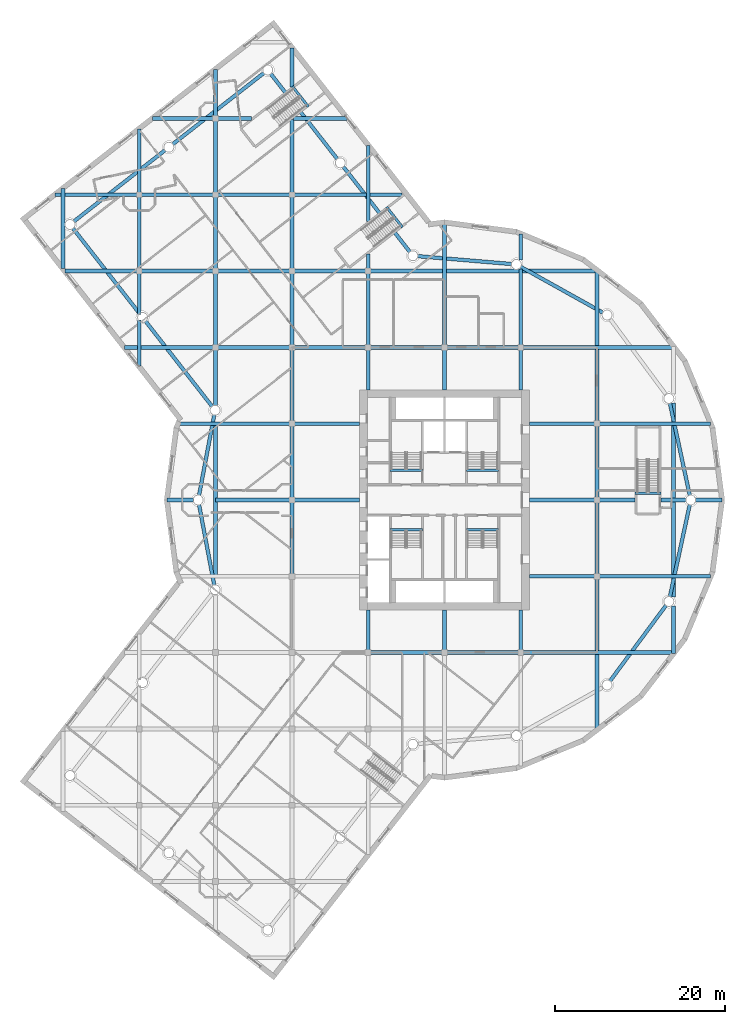
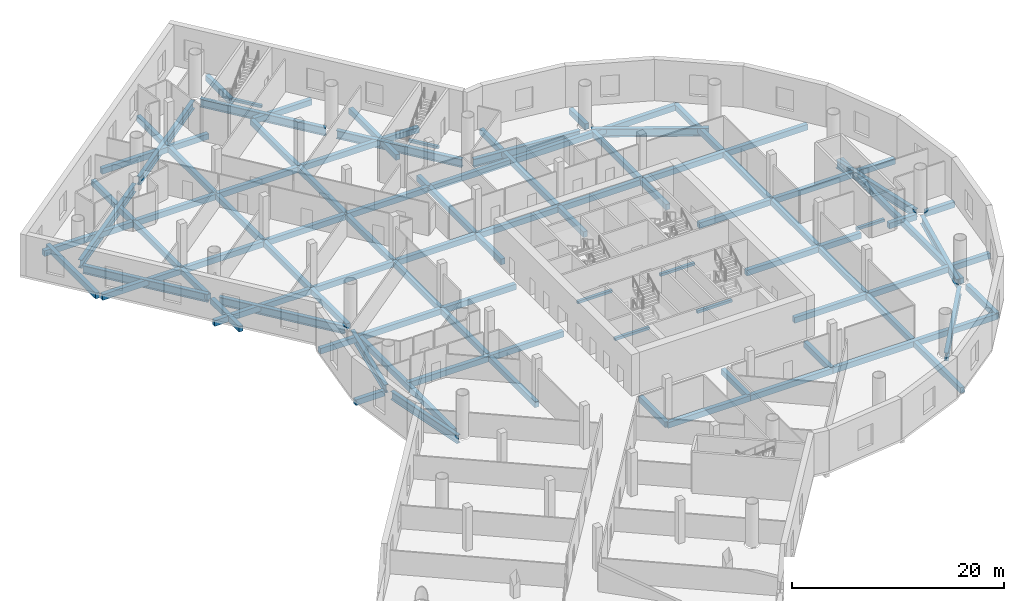
# One storey, part 2 of 22: 90 beams.
"""IFC4 building model written with IfcOpenShell, lengths in metres."""

from ifc_helpers import new_model, si_unit, direction, frame, origin, origin_2d, place, context, subcontext, project, spatial, rectangle, i_section, extrude, material, material_profile, profile_set, type_object, element, save


model = new_model("IFC4")

# Units and contexts
model_context = context("Model", 3, precision=1e-05, world=origin(), true_north=direction((0.0, 1.0)))
body_context = subcontext(model_context, "Body", "Model", "MODEL_VIEW")
ifc_project = project(units=[si_unit("LENGTHUNIT", "METRE"), si_unit("AREAUNIT", "SQUARE_METRE"), si_unit("VOLUMEUNIT", "CUBIC_METRE"), si_unit("PLANEANGLEUNIT", "RADIAN"), si_unit("MASSUNIT", "GRAM", prefix="KILO")], contexts=[model_context])

# Site, building, storey
site_placement = place(None, origin())
site = spatial("IfcSite", under=ifc_project, at=site_placement, CompositionType="ELEMENT")
building_placement = place(site_placement, origin())
building = spatial("IfcBuilding", under=site, at=building_placement, Name="Tarsis Ring Headquarters", CompositionType="ELEMENT")
storey_placement = place(building_placement, frame((0.0, 0.0, 25.0)))
storey = spatial("IfcBuildingStorey", under=building, at=storey_placement, Name="L04", CompositionType="ELEMENT", Elevation=25.0)

# Beams
ifc_material_1 = material(Name="Concrete C40/50", Category="concrete")
ifc_material_profile_1 = material_profile(ifc_material_1, rectangle(XDim=0.449951171875, YDim=0.64990234375, at=origin_2d()), Name="PO-B450")
ifc_profile_set_1 = profile_set([ifc_material_profile_1], Name="Concrete C40/50")
beam_type_1 = type_object("IfcBeamType", Name="PO-B450", PredefinedType="BEAM", material=ifc_profile_set_1)
beam_1_placement = place(storey_placement, frame((-45.0, 27.3046875, -0.574951171875), z_axis=(0.0, 1.0, 0.0), x_axis=(-1.0, 0.0, 0.0)))
element("IfcBeam", 1, at=beam_1_placement, inside=storey, type_object=beam_type_1, Name="L04 floor beam 2", PredefinedType="BEAM", context=body_context, shape_type="SweptSolid", body=[
    extrude(rectangle(XDim=0.449951171875, YDim=0.64990234375, at=origin_2d()), origin(), (0.0, 0.0, 1.0), 9.42724609375),
])
beam_2_placement = place(storey_placement, frame((-36.0, 15.78515625, -0.574951171875), z_axis=(0.0, 1.0, 0.0), x_axis=(-1.0, 0.0, 0.0)))
element("IfcBeam", 2, at=beam_2_placement, inside=storey, type_object=beam_type_1, Name="L04 floor beam 7", PredefinedType="BEAM", context=body_context, shape_type="SweptSolid", body=[
    extrude(rectangle(XDim=0.449951171875, YDim=0.64990234375, at=origin_2d()), origin(), (0.0, 0.0, 1.0), 5.44140625),
])
beam_3_placement = place(storey_placement, frame((-36.0, 21.853515625, -0.574951171875), z_axis=(0.0, 1.0, 0.0), x_axis=(-1.0, 0.0, 0.0)))
element("IfcBeam", 3, at=beam_3_placement, inside=storey, type_object=beam_type_1, Name="L04 floor beam 8", PredefinedType="BEAM", context=body_context, shape_type="SweptSolid", body=[
    extrude(rectangle(XDim=0.449951171875, YDim=0.64990234375, at=origin_2d()), origin(), (0.0, 0.0, 1.0), 5.146484375),
])
beam_4_placement = place(storey_placement, frame((-36.0, 27.0, -0.574951171875), z_axis=(0.0, 1.0, 0.0), x_axis=(-1.0, 0.0, 0.0)))
element("IfcBeam", 4, at=beam_4_placement, inside=storey, type_object=beam_type_1, Name="L04 floor beam 9", PredefinedType="BEAM", context=body_context, shape_type="SweptSolid", body=[
    extrude(rectangle(XDim=0.449951171875, YDim=0.64990234375, at=origin_2d()), origin(), (0.0, 0.0, 1.0), 9.0),
])
beam_5_placement = place(storey_placement, frame((-36.0, 36.0, -0.574951171875), z_axis=(0.0, 1.0, 0.0), x_axis=(-1.0, 0.0, 0.0)))
element("IfcBeam", 5, at=beam_5_placement, inside=storey, type_object=beam_type_1, Name="L04 floor beam 10", PredefinedType="BEAM", context=body_context, shape_type="SweptSolid", body=[
    extrude(rectangle(XDim=0.449951171875, YDim=0.64990234375, at=origin_2d()), origin(), (0.0, 0.0, 1.0), 7.763671875),
])
beam_6_placement = place(storey_placement, frame((-27.0, -9.0, -0.574951171875), z_axis=(0.0, 1.0, 0.0), x_axis=(-1.0, 0.0, 0.0)))
element("IfcBeam", 6, at=beam_6_placement, inside=storey, type_object=beam_type_1, Name="L04 floor beam 16", PredefinedType="BEAM", context=body_context, shape_type="SweptSolid", body=[
    extrude(rectangle(XDim=0.449951171875, YDim=0.64990234375, at=origin_2d()), origin(), (0.0, 0.0, 1.0), 18.0),
])
beam_7_placement = place(storey_placement, frame((-27.0, 11.082275390625, -0.574951171875), z_axis=(0.0, 1.0, 0.0), x_axis=(-1.0, 0.0, 0.0)))
element("IfcBeam", 7, at=beam_7_placement, inside=storey, type_object=beam_type_1, Name="L04 floor beam 17", PredefinedType="BEAM", context=body_context, shape_type="SweptSolid", body=[
    extrude(rectangle(XDim=0.449951171875, YDim=0.64990234375, at=origin_2d()), origin(), (0.0, 0.0, 1.0), 6.917724609375),
])
for number, where, z_axis, x_axis, name in (
    (8, (-27.0, 18.0, -0.574951171875), (0.0, 1.0, 0.0), (-1.0, 0.0, 0.0), "L04 floor beam 18"),
    (9, (-27.0, 27.0, -0.574951171875), (0.0, 1.0, 0.0), (-1.0, 0.0, 0.0), "L04 floor beam 19"),
    (10, (-27.0, 36.0, -0.574951171875), (0.0, 1.0, 0.0), (-1.0, 0.0, 0.0), "L04 floor beam 20"),
):
    element("IfcBeam", number, at=place(storey_placement, frame(where, z_axis=z_axis, x_axis=x_axis)), inside=storey, type_object=beam_type_1, Name=name, PredefinedType="BEAM", context=body_context, shape_type="SweptSolid", body=[
        extrude(rectangle(XDim=0.449951171875, YDim=0.64990234375, at=origin_2d()), origin(), (0.0, 0.0, 1.0), 9.0),
    ])
beam_8_placement = place(storey_placement, frame((-27.0, 45.0, -0.574951171875), z_axis=(0.0, 1.0, 0.0), x_axis=(-1.0, 0.0, 0.0)))
element("IfcBeam", 11, at=beam_8_placement, inside=storey, type_object=beam_type_1, Name="L04 floor beam 21", PredefinedType="BEAM", context=body_context, shape_type="SweptSolid", body=[
    extrude(rectangle(XDim=0.449951171875, YDim=0.64990234375, at=origin_2d()), origin(), (0.0, 0.0, 1.0), 5.795166015625),
])
for number, where, z_axis, x_axis, name in (
    (12, (-18.0, -9.0, -0.574951171875), (0.0, 1.0, 0.0), (-1.0, 0.0, 0.0), "L04 floor beam 27"),
    (13, (-18.0, 0.0, -0.574951171875), (0.0, 1.0, 0.0), (-1.0, 0.0, 0.0), "L04 floor beam 28"),
    (14, (-18.0, 9.0, -0.574951171875), (0.0, 1.0, 0.0), (-1.0, 0.0, 0.0), "L04 floor beam 29"),
    (15, (-18.0, 18.0, -0.574951171875), (0.0, 1.0, 0.0), (-1.0, 0.0, 0.0), "L04 floor beam 30"),
    (16, (-18.0, 27.0, -0.574951171875), (0.0, 1.0, 0.0), (-1.0, 0.0, 0.0), "L04 floor beam 31"),
):
    element("IfcBeam", number, at=place(storey_placement, frame(where, z_axis=z_axis, x_axis=x_axis)), inside=storey, type_object=beam_type_1, Name=name, PredefinedType="BEAM", context=body_context, shape_type="SweptSolid", body=[
        extrude(rectangle(XDim=0.449951171875, YDim=0.64990234375, at=origin_2d()), origin(), (0.0, 0.0, 1.0), 9.0),
    ])
beam_9_placement = place(storey_placement, frame((-18.0, 36.0, -0.574951171875), z_axis=(0.0, 1.0, 0.0), x_axis=(-1.0, 0.0, 0.0)))
element("IfcBeam", 17, at=beam_9_placement, inside=storey, type_object=beam_type_1, Name="L04 floor beam 32", PredefinedType="BEAM", context=body_context, shape_type="SweptSolid", body=[
    extrude(rectangle(XDim=0.449951171875, YDim=0.64990234375, at=origin_2d()), origin(), (0.0, 0.0, 1.0), 8.8623046875),
])
beam_10_placement = place(storey_placement, frame((-18.0, 48.7314453125, -0.574951171875), z_axis=(0.0, 1.0, 0.0), x_axis=(-1.0, 0.0, 0.0)))
element("IfcBeam", 18, at=beam_10_placement, inside=storey, type_object=beam_type_1, Name="L04 floor beam 33", PredefinedType="BEAM", context=body_context, shape_type="SweptSolid", body=[
    extrude(rectangle(XDim=0.449951171875, YDim=0.64990234375, at=origin_2d()), origin(), (0.0, 0.0, 1.0), 4.60009765625),
])
for number, where, z_axis, x_axis, name in (
    (19, (-9.0, -18.0, -0.574951171875), (0.0, 1.0, 0.0), (-1.0, 0.0, 0.0), "L04 floor beam 37"),
    (20, (-9.0, 13.0, -0.574951171875), (0.0, 1.0, 0.0), (-1.0, 0.0, 0.0), "L04 floor beam 38"),
):
    element("IfcBeam", number, at=place(storey_placement, frame(where, z_axis=z_axis, x_axis=x_axis)), inside=storey, type_object=beam_type_1, Name=name, PredefinedType="BEAM", context=body_context, shape_type="SweptSolid", body=[
        extrude(rectangle(XDim=0.449951171875, YDim=0.64990234375, at=origin_2d()), origin(), (0.0, 0.0, 1.0), 5.0),
    ])
beam_11_placement = place(storey_placement, frame((-9.0, 18.0, -0.574951171875), z_axis=(0.0, 1.0, 0.0), x_axis=(-1.0, 0.0, 0.0)))
element("IfcBeam", 21, at=beam_11_placement, inside=storey, type_object=beam_type_1, Name="L04 floor beam 39", PredefinedType="BEAM", context=body_context, shape_type="SweptSolid", body=[
    extrude(rectangle(XDim=0.449951171875, YDim=0.64990234375, at=origin_2d()), origin(), (0.0, 0.0, 1.0), 9.0),
])
beam_12_placement = place(storey_placement, frame((-9.0, 27.0, -0.574951171875), z_axis=(0.0, 1.0, 0.0), x_axis=(-1.0, 0.0, 0.0)))
element("IfcBeam", 22, at=beam_12_placement, inside=storey, type_object=beam_type_1, Name="L04 floor beam 40", PredefinedType="BEAM", context=body_context, shape_type="SweptSolid", body=[
    extrude(rectangle(XDim=0.449951171875, YDim=0.64990234375, at=origin_2d()), origin(), (0.0, 0.0, 1.0), 2.003173828125),
])
beam_13_placement = place(storey_placement, frame((-9.0, 32.872314453125, -0.574951171875), z_axis=(0.0, 1.0, 0.0), x_axis=(-1.0, 0.0, 0.0)))
element("IfcBeam", 23, at=beam_13_placement, inside=storey, type_object=beam_type_1, Name="L04 floor beam 41", PredefinedType="BEAM", context=body_context, shape_type="SweptSolid", body=[
    extrude(rectangle(XDim=0.449951171875, YDim=0.64990234375, at=origin_2d()), origin(), (0.0, 0.0, 1.0), 8.939697265625),
])
for number, where, z_axis, x_axis, name in (
    (24, (0.0, -18.0, -0.574951171875), (0.0, 1.0, 0.0), (-1.0, 0.0, 0.0), "L04 floor beam 43"),
    (25, (0.0, 13.0, -0.574951171875), (0.0, 1.0, 0.0), (-1.0, 0.0, 0.0), "L04 floor beam 44"),
):
    element("IfcBeam", number, at=place(storey_placement, frame(where, z_axis=z_axis, x_axis=x_axis)), inside=storey, type_object=beam_type_1, Name=name, PredefinedType="BEAM", context=body_context, shape_type="SweptSolid", body=[
        extrude(rectangle(XDim=0.449951171875, YDim=0.64990234375, at=origin_2d()), origin(), (0.0, 0.0, 1.0), 5.0),
    ])
beam_14_placement = place(storey_placement, frame((0.0, 18.0, -0.574951171875), z_axis=(0.0, 1.0, 0.0), x_axis=(-1.0, 0.0, 0.0)))
element("IfcBeam", 26, at=beam_14_placement, inside=storey, type_object=beam_type_1, Name="L04 floor beam 45", PredefinedType="BEAM", context=body_context, shape_type="SweptSolid", body=[
    extrude(rectangle(XDim=0.449951171875, YDim=0.64990234375, at=origin_2d()), origin(), (0.0, 0.0, 1.0), 14.70458984375),
])
for number, where, z_axis, x_axis, name in (
    (27, (9.0, -18.0, -0.574951171875), (0.0, 1.0, 0.0), (-1.0, 0.0, 0.0), "L04 floor beam 48"),
    (28, (9.0, 13.0, -0.574951171875), (0.0, 1.0, 0.0), (-1.0, 0.0, 0.0), "L04 floor beam 49"),
):
    element("IfcBeam", number, at=place(storey_placement, frame(where, z_axis=z_axis, x_axis=x_axis)), inside=storey, type_object=beam_type_1, Name=name, PredefinedType="BEAM", context=body_context, shape_type="SweptSolid", body=[
        extrude(rectangle(XDim=0.449951171875, YDim=0.64990234375, at=origin_2d()), origin(), (0.0, 0.0, 1.0), 5.0),
    ])
beam_15_placement = place(storey_placement, frame((9.0, 18.0, -0.574951171875), z_axis=(0.0, 1.0, 0.0), x_axis=(-1.0, 0.0, 0.0)))
element("IfcBeam", 29, at=beam_15_placement, inside=storey, type_object=beam_type_1, Name="L04 floor beam 50", PredefinedType="BEAM", context=body_context, shape_type="SweptSolid", body=[
    extrude(rectangle(XDim=0.449951171875, YDim=0.64990234375, at=origin_2d()), origin(), (0.0, 0.0, 1.0), 9.245361328125),
])
beam_16_placement = place(storey_placement, frame((9.0, 28.3212890625, -0.574951171875), z_axis=(0.0, 1.0, 0.0), x_axis=(-1.0, 0.0, 0.0)))
element("IfcBeam", 30, at=beam_16_placement, inside=storey, type_object=beam_type_1, Name="L04 floor beam 51", PredefinedType="BEAM", context=body_context, shape_type="SweptSolid", body=[
    extrude(rectangle(XDim=0.449951171875, YDim=0.64990234375, at=origin_2d()), origin(), (0.0, 0.0, 1.0), 3.050048828125),
])
beam_17_placement = place(storey_placement, frame((18.0, -27.062255859375, -0.574951171875), z_axis=(0.0, 1.0, 0.0), x_axis=(-1.0, 0.0, 0.0)))
element("IfcBeam", 31, at=beam_17_placement, inside=storey, type_object=beam_type_1, Name="L04 floor beam 52", PredefinedType="BEAM", context=body_context, shape_type="SweptSolid", body=[
    extrude(rectangle(XDim=0.449951171875, YDim=0.64990234375, at=origin_2d()), origin(), (0.0, 0.0, 1.0), 18.062255859375),
])
for number, where, z_axis, x_axis, name in (
    (32, (18.0, -9.0, -0.574951171875), (0.0, 1.0, 0.0), (-1.0, 0.0, 0.0), "L04 floor beam 53"),
    (33, (18.0, 0.0, -0.574951171875), (0.0, 1.0, 0.0), (-1.0, 0.0, 0.0), "L04 floor beam 54"),
):
    element("IfcBeam", number, at=place(storey_placement, frame(where, z_axis=z_axis, x_axis=x_axis)), inside=storey, type_object=beam_type_1, Name=name, PredefinedType="BEAM", context=body_context, shape_type="SweptSolid", body=[
        extrude(rectangle(XDim=0.449951171875, YDim=0.64990234375, at=origin_2d()), origin(), (0.0, 0.0, 1.0), 9.0),
    ])
beam_18_placement = place(storey_placement, frame((18.0, 9.0, -0.574951171875), z_axis=(0.0, 1.0, 0.0), x_axis=(-1.0, 0.0, 0.0)))
element("IfcBeam", 34, at=beam_18_placement, inside=storey, type_object=beam_type_1, Name="L04 floor beam 55", PredefinedType="BEAM", context=body_context, shape_type="SweptSolid", body=[
    extrude(rectangle(XDim=0.449951171875, YDim=0.64990234375, at=origin_2d()), origin(), (0.0, 0.0, 1.0), 18.062255859375),
])
beam_19_placement = place(storey_placement, frame((27.0, -18.0810546875, -0.574951171875), z_axis=(0.0, 1.0, 0.0), x_axis=(-1.0, 0.0, 0.0)))
element("IfcBeam", 35, at=beam_19_placement, inside=storey, type_object=beam_type_1, Name="L04 floor beam 56", PredefinedType="BEAM", context=body_context, shape_type="SweptSolid", body=[
    extrude(rectangle(XDim=0.449951171875, YDim=0.64990234375, at=origin_2d()), origin(), (0.0, 0.0, 1.0), 5.58203125),
])
beam_20_placement = place(storey_placement, frame((27.0, -11.447998046875, -0.574951171875), z_axis=(0.0, 1.0, 0.0), x_axis=(-1.0, 0.0, 0.0)))
element("IfcBeam", 36, at=beam_20_placement, inside=storey, type_object=beam_type_1, Name="L04 floor beam 57", PredefinedType="BEAM", context=body_context, shape_type="SweptSolid", body=[
    extrude(rectangle(XDim=0.449951171875, YDim=0.64990234375, at=origin_2d()), origin(), (0.0, 0.0, 1.0), 22.89599609375),
])
for number, where, z_axis, x_axis, name in (
    (37, (-9.0, -18.0, -0.574951171875), (1.0, 0.0, 0.0), (0.0, 1.0, 0.0), "L04 floor beam 75"),
    (38, (0.0, -18.0, -0.574951171875), (1.0, 0.0, 0.0), (0.0, 1.0, 0.0), "L04 floor beam 76"),
):
    element("IfcBeam", number, at=place(storey_placement, frame(where, z_axis=z_axis, x_axis=x_axis)), inside=storey, type_object=beam_type_1, Name=name, PredefinedType="BEAM", context=body_context, shape_type="SweptSolid", body=[
        extrude(rectangle(XDim=0.449951171875, YDim=0.64990234375, at=origin_2d()), origin(), (0.0, 0.0, 1.0), 9.0),
    ])
beam_21_placement = place(storey_placement, frame((9.0, -18.0, -0.574951171875), z_axis=(1.0, 0.0, 0.0), x_axis=(0.0, 1.0, 0.0)))
element("IfcBeam", 39, at=beam_21_placement, inside=storey, type_object=beam_type_1, Name="L04 floor beam 77", PredefinedType="BEAM", context=body_context, shape_type="SweptSolid", body=[
    extrude(rectangle(XDim=0.449951171875, YDim=0.64990234375, at=origin_2d()), origin(), (0.0, 0.0, 1.0), 18.062255859375),
])
beam_22_placement = place(storey_placement, frame((10.0, -9.0, -0.574951171875), z_axis=(1.0, 0.0, 0.0), x_axis=(0.0, 1.0, 0.0)))
element("IfcBeam", 40, at=beam_22_placement, inside=storey, type_object=beam_type_1, Name="L04 floor beam 80", PredefinedType="BEAM", context=body_context, shape_type="SweptSolid", body=[
    extrude(rectangle(XDim=0.449951171875, YDim=0.64990234375, at=origin_2d()), origin(), (0.0, 0.0, 1.0), 8.0),
])
beam_23_placement = place(storey_placement, frame((18.0, -9.0, -0.574951171875), z_axis=(1.0, 0.0, 0.0), x_axis=(0.0, 1.0, 0.0)))
element("IfcBeam", 41, at=beam_23_placement, inside=storey, type_object=beam_type_1, Name="L04 floor beam 81", PredefinedType="BEAM", context=body_context, shape_type="SweptSolid", body=[
    extrude(rectangle(XDim=0.449951171875, YDim=0.64990234375, at=origin_2d()), origin(), (0.0, 0.0, 1.0), 13.371337890625),
])
beam_24_placement = place(storey_placement, frame((-32.70458984375, 0.0, -0.574951171875), z_axis=(1.0, 0.0, 0.0), x_axis=(0.0, 1.0, 0.0)))
element("IfcBeam", 42, at=beam_24_placement, inside=storey, type_object=beam_type_1, Name="L04 floor beam 82", PredefinedType="BEAM", context=body_context, shape_type="SweptSolid", body=[
    extrude(rectangle(XDim=0.449951171875, YDim=0.64990234375, at=origin_2d()), origin(), (0.0, 0.0, 1.0), 3.156005859375),
])
beam_25_placement = place(storey_placement, frame((-27.0, 0.0, -0.574951171875), z_axis=(1.0, 0.0, 0.0), x_axis=(0.0, 1.0, 0.0)))
element("IfcBeam", 43, at=beam_25_placement, inside=storey, type_object=beam_type_1, Name="L04 floor beam 83", PredefinedType="BEAM", context=body_context, shape_type="SweptSolid", body=[
    extrude(rectangle(XDim=0.449951171875, YDim=0.64990234375, at=origin_2d()), origin(), (0.0, 0.0, 1.0), 9.0),
])
for number, where, z_axis, x_axis, name in (
    (44, (-18.0, 0.0, -0.574951171875), (1.0, 0.0, 0.0), (0.0, 1.0, 0.0), "L04 floor beam 84"),
    (45, (10.0, 0.0, -0.574951171875), (1.0, 0.0, 0.0), (0.0, 1.0, 0.0), "L04 floor beam 85"),
):
    element("IfcBeam", number, at=place(storey_placement, frame(where, z_axis=z_axis, x_axis=x_axis)), inside=storey, type_object=beam_type_1, Name=name, PredefinedType="BEAM", context=body_context, shape_type="SweptSolid", body=[
        extrude(rectangle(XDim=0.449951171875, YDim=0.64990234375, at=origin_2d()), origin(), (0.0, 0.0, 1.0), 8.0),
    ])
beam_26_placement = place(storey_placement, frame((18.0, 0.0, -0.574951171875), z_axis=(1.0, 0.0, 0.0), x_axis=(0.0, 1.0, 0.0)))
element("IfcBeam", 46, at=beam_26_placement, inside=storey, type_object=beam_type_1, Name="L04 floor beam 86", PredefinedType="BEAM", context=body_context, shape_type="SweptSolid", body=[
    extrude(rectangle(XDim=0.449951171875, YDim=0.64990234375, at=origin_2d()), origin(), (0.0, 0.0, 1.0), 4.47509765625),
])
beam_27_placement = place(storey_placement, frame((25.52490234375, 0.0, -0.574951171875), z_axis=(1.0, 0.0, 0.0), x_axis=(0.0, 1.0, 0.0)))
element("IfcBeam", 47, at=beam_27_placement, inside=storey, type_object=beam_type_1, Name="L04 floor beam 87", PredefinedType="BEAM", context=body_context, shape_type="SweptSolid", body=[
    extrude(rectangle(XDim=0.449951171875, YDim=0.64990234375, at=origin_2d()), origin(), (0.0, 0.0, 1.0), 3.023681640625),
])
beam_28_placement = place(storey_placement, frame((29.548583984375, 0.0, -0.574951171875), z_axis=(1.0, 0.0, 0.0), x_axis=(0.0, 1.0, 0.0)))
element("IfcBeam", 48, at=beam_28_placement, inside=storey, type_object=beam_type_1, Name="L04 floor beam 88", PredefinedType="BEAM", context=body_context, shape_type="SweptSolid", body=[
    extrude(rectangle(XDim=0.449951171875, YDim=0.64990234375, at=origin_2d()), origin(), (0.0, 0.0, 1.0), 3.156005859375),
])
beam_29_placement = place(storey_placement, frame((-31.371337890625, 9.0, -0.574951171875), z_axis=(1.0, 0.0, 0.0), x_axis=(0.0, 1.0, 0.0)))
element("IfcBeam", 49, at=beam_29_placement, inside=storey, type_object=beam_type_1, Name="L04 floor beam 89", PredefinedType="BEAM", context=body_context, shape_type="SweptSolid", body=[
    extrude(rectangle(XDim=0.449951171875, YDim=0.64990234375, at=origin_2d()), origin(), (0.0, 0.0, 1.0), 13.371337890625),
])
for number, where, z_axis, x_axis, name in (
    (50, (-18.0, 9.0, -0.574951171875), (1.0, 0.0, 0.0), (0.0, 1.0, 0.0), "L04 floor beam 90"),
    (51, (10.0, 9.0, -0.574951171875), (1.0, 0.0, 0.0), (0.0, 1.0, 0.0), "L04 floor beam 91"),
):
    element("IfcBeam", number, at=place(storey_placement, frame(where, z_axis=z_axis, x_axis=x_axis)), inside=storey, type_object=beam_type_1, Name=name, PredefinedType="BEAM", context=body_context, shape_type="SweptSolid", body=[
        extrude(rectangle(XDim=0.449951171875, YDim=0.64990234375, at=origin_2d()), origin(), (0.0, 0.0, 1.0), 8.0),
    ])
beam_30_placement = place(storey_placement, frame((18.0, 9.0, -0.574951171875), z_axis=(1.0, 0.0, 0.0), x_axis=(0.0, 1.0, 0.0)))
element("IfcBeam", 52, at=beam_30_placement, inside=storey, type_object=beam_type_1, Name="L04 floor beam 92", PredefinedType="BEAM", context=body_context, shape_type="SweptSolid", body=[
    extrude(rectangle(XDim=0.449951171875, YDim=0.64990234375, at=origin_2d()), origin(), (0.0, 0.0, 1.0), 13.371337890625),
])
beam_31_placement = place(storey_placement, frame((-37.730224609375, 18.0, -0.574951171875), z_axis=(1.0, 0.0, 0.0), x_axis=(0.0, 1.0, 0.0)))
element("IfcBeam", 53, at=beam_31_placement, inside=storey, type_object=beam_type_1, Name="L04 floor beam 93", PredefinedType="BEAM", context=body_context, shape_type="SweptSolid", body=[
    extrude(rectangle(XDim=0.449951171875, YDim=0.64990234375, at=origin_2d()), origin(), (0.0, 0.0, 1.0), 10.730224609375),
])
for number, where, z_axis, x_axis, name in (
    (54, (-27.0, 18.0, -0.574951171875), (1.0, 0.0, 0.0), (0.0, 1.0, 0.0), "L04 floor beam 94"),
    (55, (-18.0, 18.0, -0.574951171875), (1.0, 0.0, 0.0), (0.0, 1.0, 0.0), "L04 floor beam 95"),
    (56, (-9.0, 18.0, -0.574951171875), (1.0, 0.0, 0.0), (0.0, 1.0, 0.0), "L04 floor beam 96"),
    (57, (0.0, 18.0, -0.574951171875), (1.0, 0.0, 0.0), (0.0, 1.0, 0.0), "L04 floor beam 97"),
):
    element("IfcBeam", number, at=place(storey_placement, frame(where, z_axis=z_axis, x_axis=x_axis)), inside=storey, type_object=beam_type_1, Name=name, PredefinedType="BEAM", context=body_context, shape_type="SweptSolid", body=[
        extrude(rectangle(XDim=0.449951171875, YDim=0.64990234375, at=origin_2d()), origin(), (0.0, 0.0, 1.0), 9.0),
    ])
beam_32_placement = place(storey_placement, frame((9.0, 18.0, -0.574951171875), z_axis=(1.0, 0.0, 0.0), x_axis=(0.0, 1.0, 0.0)))
element("IfcBeam", 58, at=beam_32_placement, inside=storey, type_object=beam_type_1, Name="L04 floor beam 98", PredefinedType="BEAM", context=body_context, shape_type="SweptSolid", body=[
    extrude(rectangle(XDim=0.449951171875, YDim=0.64990234375, at=origin_2d()), origin(), (0.0, 0.0, 1.0), 18.062255859375),
])
beam_33_placement = place(storey_placement, frame((-44.761962890625, 27.0, -0.574951171875), z_axis=(1.0, 0.0, 0.0), x_axis=(0.0, 1.0, 0.0)))
element("IfcBeam", 59, at=beam_33_placement, inside=storey, type_object=beam_type_1, Name="L04 floor beam 99", PredefinedType="BEAM", context=body_context, shape_type="SweptSolid", body=[
    extrude(rectangle(XDim=0.449951171875, YDim=0.64990234375, at=origin_2d()), origin(), (0.0, 0.0, 1.0), 8.761962890625),
])
for number, where, z_axis, x_axis, name in (
    (60, (-36.0, 27.0, -0.574951171875), (1.0, 0.0, 0.0), (0.0, 1.0, 0.0), "L04 floor beam 100"),
    (61, (-27.0, 27.0, -0.574951171875), (1.0, 0.0, 0.0), (0.0, 1.0, 0.0), "L04 floor beam 101"),
    (62, (-18.0, 27.0, -0.574951171875), (1.0, 0.0, 0.0), (0.0, 1.0, 0.0), "L04 floor beam 102"),
):
    element("IfcBeam", number, at=place(storey_placement, frame(where, z_axis=z_axis, x_axis=x_axis)), inside=storey, type_object=beam_type_1, Name=name, PredefinedType="BEAM", context=body_context, shape_type="SweptSolid", body=[
        extrude(rectangle(XDim=0.449951171875, YDim=0.64990234375, at=origin_2d()), origin(), (0.0, 0.0, 1.0), 9.0),
    ])
beam_34_placement = place(storey_placement, frame((-9.0, 27.0, -0.574951171875), z_axis=(1.0, 0.0, 0.0), x_axis=(0.0, 1.0, 0.0)))
element("IfcBeam", 63, at=beam_34_placement, inside=storey, type_object=beam_type_1, Name="L04 floor beam 103", PredefinedType="BEAM", context=body_context, shape_type="SweptSolid", body=[
    extrude(rectangle(XDim=0.449951171875, YDim=0.64990234375, at=origin_2d()), origin(), (0.0, 0.0, 1.0), 27.0810546875),
])
beam_35_placement = place(storey_placement, frame((-45.93701171875, 36.0, -0.574951171875), z_axis=(1.0, 0.0, 0.0), x_axis=(0.0, 1.0, 0.0)))
element("IfcBeam", 64, at=beam_35_placement, inside=storey, type_object=beam_type_1, Name="L04 floor beam 104", PredefinedType="BEAM", context=body_context, shape_type="SweptSolid", body=[
    extrude(rectangle(XDim=0.449951171875, YDim=0.64990234375, at=origin_2d()), origin(), (0.0, 0.0, 1.0), 9.93701171875),
])
for number, where, z_axis, x_axis, name in (
    (65, (-36.0, 36.0, -0.574951171875), (1.0, 0.0, 0.0), (0.0, 1.0, 0.0), "L04 floor beam 105"),
    (66, (-27.0, 36.0, -0.574951171875), (1.0, 0.0, 0.0), (0.0, 1.0, 0.0), "L04 floor beam 106"),
):
    element("IfcBeam", number, at=place(storey_placement, frame(where, z_axis=z_axis, x_axis=x_axis)), inside=storey, type_object=beam_type_1, Name=name, PredefinedType="BEAM", context=body_context, shape_type="SweptSolid", body=[
        extrude(rectangle(XDim=0.449951171875, YDim=0.64990234375, at=origin_2d()), origin(), (0.0, 0.0, 1.0), 9.0),
    ])
beam_36_placement = place(storey_placement, frame((-18.0, 36.0, -0.574951171875), z_axis=(1.0, 0.0, 0.0), x_axis=(0.0, 1.0, 0.0)))
element("IfcBeam", 67, at=beam_36_placement, inside=storey, type_object=beam_type_1, Name="L04 floor beam 107", PredefinedType="BEAM", context=body_context, shape_type="SweptSolid", body=[
    extrude(rectangle(XDim=0.449951171875, YDim=0.64990234375, at=origin_2d()), origin(), (0.0, 0.0, 1.0), 13.0068359375),
])
beam_37_placement = place(storey_placement, frame((-34.41748046875, 45.0, -0.574951171875), z_axis=(1.0, 0.0, 0.0), x_axis=(0.0, 1.0, 0.0)))
element("IfcBeam", 68, at=beam_37_placement, inside=storey, type_object=beam_type_1, Name="L04 floor beam 108", PredefinedType="BEAM", context=body_context, shape_type="SweptSolid", body=[
    extrude(rectangle(XDim=0.449951171875, YDim=0.64990234375, at=origin_2d()), origin(), (0.0, 0.0, 1.0), 7.41748046875),
])
beam_38_placement = place(storey_placement, frame((-27.0, 45.0, -0.574951171875), z_axis=(1.0, 0.0, 0.0), x_axis=(0.0, 1.0, 0.0)))
element("IfcBeam", 69, at=beam_38_placement, inside=storey, type_object=beam_type_1, Name="L04 floor beam 109", PredefinedType="BEAM", context=body_context, shape_type="SweptSolid", body=[
    extrude(rectangle(XDim=0.449951171875, YDim=0.64990234375, at=origin_2d()), origin(), (0.0, 0.0, 1.0), 4.219482421875),
])
beam_39_placement = place(storey_placement, frame((-17.82373046875, 45.0, -0.574951171875), z_axis=(1.0, 0.0, 0.0), x_axis=(0.0, 1.0, 0.0)))
element("IfcBeam", 70, at=beam_39_placement, inside=storey, type_object=beam_type_1, Name="L04 floor beam 110", PredefinedType="BEAM", context=body_context, shape_type="SweptSolid", body=[
    extrude(rectangle(XDim=0.449951171875, YDim=0.64990234375, at=origin_2d()), origin(), (0.0, 0.0, 1.0), 6.3330078125),
])
ifc_material_2 = material(Name="Concrete C60/75", Category="concrete")
ifc_material_profile_2 = material_profile(ifc_material_2, rectangle(XDim=0.300048828125, YDim=0.300048828125, at=origin_2d()), Name="PO-SHB300")
ifc_profile_set_2 = profile_set([ifc_material_profile_2], Name="Concrete C60/75")
beam_type_2 = type_object("IfcBeamType", Name="PO-SHB300", PredefinedType="BEAM", material=ifc_profile_set_2)
beam_40_placement = place(storey_placement, frame((25.52490234375, 0.780029296875, -0.39990234375), z_axis=(-1.0, 0.0, 0.0), x_axis=(0.0, -1.0, 0.0)))
element("IfcBeam", 71, at=beam_40_placement, inside=storey, type_object=beam_type_2, Name="Stair head beam L04 PS1", PredefinedType="BEAM", context=body_context, shape_type="SweptSolid", body=[
    extrude(rectangle(XDim=0.300048828125, YDim=0.300048828125, at=origin_2d()), origin(), (0.0, 0.0, 1.0), 3.0498046875),
])
beam_41_placement = place(storey_placement, frame((-6.83203125, 34.564697265625, -0.39990234375), z_axis=(0.615308465652, -0.788286427701, 0.0), x_axis=(0.788286427701, 0.615308465652, 0.0)))
element("IfcBeam", 72, at=beam_41_placement, inside=storey, type_object=beam_type_2, Name="Stair head beam L04 PS3", PredefinedType="BEAM", context=body_context, shape_type="SweptSolid", body=[
    extrude(rectangle(XDim=0.300048828125, YDim=0.300048828125, at=origin_2d()), origin(), (0.0, 0.0, 1.0), 3.050048828125),
])
beam_42_placement = place(storey_placement, frame((-17.93212890625, 48.78466796875, -0.39990234375), z_axis=(0.615358201785, -0.788247602911, 0.0), x_axis=(0.788247602911, 0.615358201785, 0.0)))
element("IfcBeam", 73, at=beam_42_placement, inside=storey, type_object=beam_type_2, Name="Stair head beam L04 PS4", PredefinedType="BEAM", context=body_context, shape_type="SweptSolid", body=[
    extrude(rectangle(XDim=0.300048828125, YDim=0.300048828125, at=origin_2d()), origin(), (0.0, 0.0, 1.0), 3.05029296875),
])
ifc_material_profile_3 = material_profile(ifc_material_1, rectangle(XDim=0.300048828125, YDim=0.300048828125, at=origin_2d()), Name="Stair head beam 300x300 C40/50")
ifc_profile_set_3 = profile_set([ifc_material_profile_3], Name="Concrete C40/50")
beam_type_3 = type_object("IfcBeamType", Name="Stair head beam 300x300 C40/50", PredefinedType="BEAM", material=ifc_profile_set_3)
for number, where, z_axis, x_axis, name in (
    (74, (-6.39990234375, 3.510009765625, -0.39990234375), (1.0, 0.0, 0.0), (0.0, 1.0, 0.0), "Stair head beam L04 Firefighting stair"),
    (75, (2.60009765625, 3.510009765625, -0.39990234375), (1.0, 0.0, 0.0), (0.0, 1.0, 0.0), "Stair head beam L04 Exit stair B"),
    (76, (-6.39990234375, -3.510009765625, -0.39990234375), (1.0, 0.0, 0.0), (0.0, 1.0, 0.0), "Stair head beam L04 Exit stair C"),
    (77, (2.60009765625, -3.510009765625, -0.39990234375), (1.0, 0.0, 0.0), (0.0, 1.0, 0.0), "Stair head beam L04 Exit stair D"),
):
    element("IfcBeam", number, at=place(storey_placement, frame(where, z_axis=z_axis, x_axis=x_axis)), inside=storey, type_object=beam_type_3, Name=name, PredefinedType="BEAM", context=body_context, shape_type="SweptSolid", body=[
        extrude(rectangle(XDim=0.300048828125, YDim=0.300048828125, at=origin_2d()), origin(), (0.0, 0.0, 1.0), 3.7998046875),
    ])
ifc_material_3 = material(Name="Structural steel S355", Category="steel")
ifc_material_profile_4 = material_profile(ifc_material_3, i_section(OverallWidth=0.42431640625, OverallDepth=0.947509765625, WebThickness=0.02392578125, FlangeThickness=0.042724609375, at=origin_2d()), Name="W36x302")
ifc_profile_set_4 = profile_set([ifc_material_profile_4], Name="Structural steel S355")
beam_type_4 = type_object("IfcBeamType", Name="XG Ring girder W36x302", PredefinedType="BEAM", material=ifc_profile_set_4)
beam_43_placement = place(storey_placement, frame((-28.94677734375, -0.5390625, -0.7236328125), z_axis=(0.185403721267, -0.982662434481, 0.0), x_axis=(0.982662434481, 0.185403721267, 0.0)))
element("IfcBeam", 78, at=beam_43_placement, inside=storey, type_object=beam_type_4, Name="Ring girder XG1", PredefinedType="BEAM", context=body_context, shape_type="SweptSolid", body=[
    extrude(i_section(OverallWidth=0.42431640625, OverallDepth=0.947509765625, WebThickness=0.02392578125, FlangeThickness=0.042724609375, at=origin_2d()), origin(), (0.0, 0.0, 1.0), 9.674560546875),
])
for number, where, z_axis, x_axis, name in (
    (79, (19.504150390625, -21.377197265625, -0.7236328125), (0.595024911632, 0.80370725674, 0.0), (-0.80370725674, 0.595024911632, 0.0), "Ring girder XG1"),
    (80, (26.581787109375, -11.437255859375, -0.7236328125), (0.2108296684, 0.977522813505, 0.0), (-0.977522813505, 0.2108296684, 0.0), "Ring girder XG1"),
    (81, (28.932861328125, 0.536376953125, -0.7236328125), (-0.2108296684, 0.977522813505, 0.0), (-0.977522813505, -0.2108296684, 0.0), "Ring girder XG1"),
    (82, (18.698486328125, 22.085205078125, -0.7236328125), (-0.873397184148, 0.487008581776, 0.0), (-0.487008581776, -0.873397184148, 0.0), "Ring girder XG1"),
):
    element("IfcBeam", number, at=place(storey_placement, frame(where, z_axis=z_axis, x_axis=x_axis)), inside=storey, type_object=beam_type_4, Name=name, PredefinedType="BEAM", context=body_context, shape_type="SweptSolid", body=[
        extrude(i_section(OverallWidth=0.42431640625, OverallDepth=0.947509765625, WebThickness=0.02392578125, FlangeThickness=0.042724609375, at=origin_2d()), origin(), (0.0, 0.0, 1.0), 11.151611328125),
    ])
beam_44_placement = place(storey_placement, frame((7.932861328125, 27.8291015625, -0.7236328125), z_axis=(-0.996489363019, 0.083719468411, 0.0), x_axis=(-0.083719468411, -0.996489363019, 0.0)))
element("IfcBeam", 83, at=beam_44_placement, inside=storey, type_object=beam_type_4, Name="Ring girder XG1", PredefinedType="BEAM", context=body_context, shape_type="SweptSolid", body=[
    extrude(i_section(OverallWidth=0.42431640625, OverallDepth=0.947509765625, WebThickness=0.02392578125, FlangeThickness=0.042724609375, at=origin_2d()), origin(), (0.0, 0.0, 1.0), 11.1513671875),
])
for number, where, z_axis, x_axis, name in (
    (84, (-4.06396484375, 29.240966796875, -0.7236328125), (-0.615666981287, 0.788006451847, 0.0), (-0.788006451847, -0.615666981287, 0.0), "Ring girder XG1"),
    (85, (-12.623046875, 40.196044921875, -0.7236328125), (-0.615666981287, 0.788006451847, 0.0), (-0.788006451847, -0.615666981287, 0.0), "Ring girder XG1"),
):
    element("IfcBeam", number, at=place(storey_placement, frame(where, z_axis=z_axis, x_axis=x_axis)), inside=storey, type_object=beam_type_4, Name=name, PredefinedType="BEAM", context=body_context, shape_type="SweptSolid", body=[
        extrude(i_section(OverallWidth=0.42431640625, OverallDepth=0.947509765625, WebThickness=0.02392578125, FlangeThickness=0.042724609375, at=origin_2d()), origin(), (0.0, 0.0, 1.0), 12.804931640625),
    ])
for number, where, z_axis, x_axis, name in (
    (86, (-21.276611328125, 50.380859375, -0.7236328125), (-0.788023563374, -0.61564507922, 0.0), (0.61564507922, -0.788023563374, 0.0), "Ring girder XG1"),
    (87, (-32.939208984375, 41.269287109375, -0.7236328125), (-0.7880081664, -0.615664786785, 0.0), (0.615664786785, -0.7880081664, 0.0), "Ring girder XG1"),
):
    element("IfcBeam", number, at=place(storey_placement, frame(where, z_axis=z_axis, x_axis=x_axis)), inside=storey, type_object=beam_type_4, Name=name, PredefinedType="BEAM", context=body_context, shape_type="SweptSolid", body=[
        extrude(i_section(OverallWidth=0.42431640625, OverallDepth=0.947509765625, WebThickness=0.02392578125, FlangeThickness=0.042724609375, at=origin_2d()), origin(), (0.0, 0.0, 1.0), 13.70263671875),
    ])
for number, where, z_axis, x_axis, name in (
    (88, (-43.831787109375, 32.062744140625, -0.7236328125), (0.615666981287, -0.788006451847, 0.0), (0.788006451847, 0.615666981287, 0.0), "Ring girder XG1"),
    (89, (-35.272705078125, 21.107666015625, -0.7236328125), (0.615666981287, -0.788006451847, 0.0), (0.788006451847, 0.615666981287, 0.0), "Ring girder XG1"),
):
    element("IfcBeam", number, at=place(storey_placement, frame(where, z_axis=z_axis, x_axis=x_axis)), inside=storey, type_object=beam_type_4, Name=name, PredefinedType="BEAM", context=body_context, shape_type="SweptSolid", body=[
        extrude(i_section(OverallWidth=0.42431640625, OverallDepth=0.947509765625, WebThickness=0.02392578125, FlangeThickness=0.042724609375, at=origin_2d()), origin(), (0.0, 0.0, 1.0), 12.804931640625),
    ])
beam_45_placement = place(storey_placement, frame((-27.153076171875, 10.0458984375, -0.7236328125), z_axis=(-0.185403721267, -0.982662434481, 0.0), x_axis=(0.982662434481, -0.185403721267, 0.0)))
element("IfcBeam", 90, at=beam_45_placement, inside=storey, type_object=beam_type_4, Name="Ring girder XG1", PredefinedType="BEAM", context=body_context, shape_type="SweptSolid", body=[
    extrude(i_section(OverallWidth=0.42431640625, OverallDepth=0.947509765625, WebThickness=0.02392578125, FlangeThickness=0.042724609375, at=origin_2d()), origin(), (0.0, 0.0, 1.0), 9.674560546875),
])

save(model, "model.ifc")
